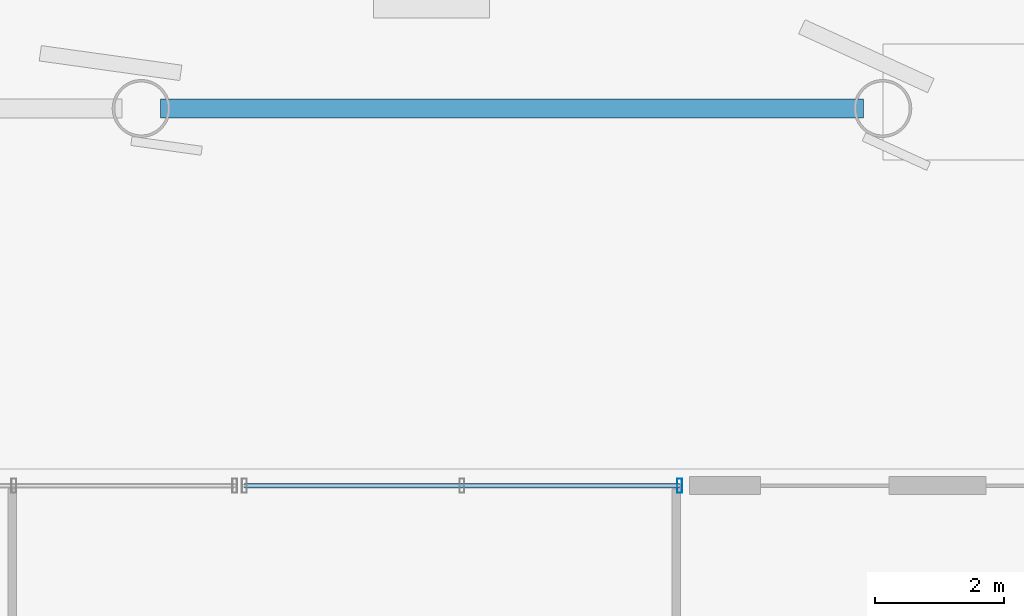
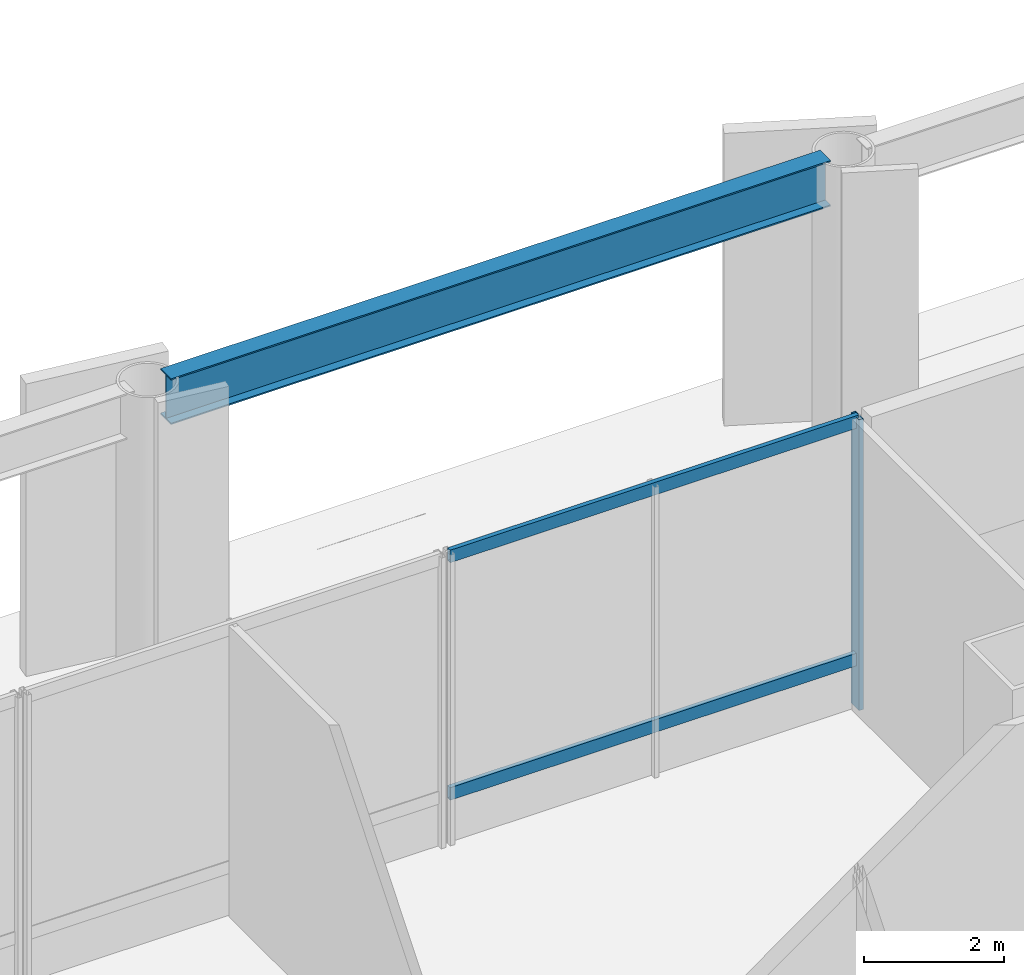
# One storey, part 5 of 19: 3 members, 1 beam, 1 element without a shape of its own.
"""IFC4 building model written with IfcOpenShell, lengths in metres."""

import ifcopenshell
import ifcopenshell.guid

model = None  # the IFC model being written
_history = None  # IfcOwnerHistory: only IFC2X3 demands one
_inside = {}  # id of a spatial element -> (the spatial element, [elements in it])
_under = {}  # id of a project, library or spatial element -> (it, [spatial elements below it])
_declared = {}  # id of a project -> (the project, [libraries it declares])
_typed = {}  # id of a type object -> (the type object, [elements of that type])
_made_of = {}  # id of a material, layer set ... -> (it, [elements and type objects made of it])


def new_model(schema):
    """Start an empty IFC model of exactly this schema.

    Asked for "IFC4X3", IfcOpenShell would pick the latest addendum, in which some entities
    have other attributes; the version numbers below select the first issue.
    IFC2X3 requires an IfcOwnerHistory on every rooted entity: one is made here for all.
    """
    global model, _history
    if schema == "IFC4X3":
        model = ifcopenshell.file(schema_version=(4, 3, 0, 0))
    else:
        model = ifcopenshell.file(schema=schema)
    _inside.clear()
    _under.clear()
    _declared.clear()
    _typed.clear()
    _made_of.clear()
    _history = None
    if model.schema == "IFC2X3":
        org = make("IfcOrganization", Name="unknown")
        user = make(
            "IfcPersonAndOrganization",
            ThePerson=make("IfcPerson", FamilyName="unknown"),
            TheOrganization=org,
        )
        app = make(
            "IfcApplication",
            ApplicationDeveloper=org,
            Version="unknown",
            ApplicationFullName="unknown",
            ApplicationIdentifier="unknown",
        )
        _history = make(
            "IfcOwnerHistory",
            OwningUser=user,
            OwningApplication=app,
            ChangeAction="ADDED",
            CreationDate=0,
        )
    return model


def make(cls, **values):
    """One entity of the class cls with the attributes given. An attribute that is None is left unset."""
    return model.create_entity(
        cls, **{name: value for name, value in values.items() if value is not None}
    )


def rooted(cls, **values):
    """An entity with a GlobalId (a new one), such as an element, a storey or a relation."""
    return make(cls, GlobalId=ifcopenshell.guid.new(), OwnerHistory=_history, **values)


def si_unit(unit_type, name, prefix=None):
    """IfcSIUnit, for example si_unit("LENGTHUNIT", "METRE", prefix="MILLI")."""
    return make("IfcSIUnit", UnitType=unit_type, Prefix=prefix, Name=name)


def assignment(units):
    """IfcUnitAssignment: the units of a project."""
    return None if units is None else make("IfcUnitAssignment", Units=units)


def point(xyz):
    """IfcCartesianPoint."""
    return None if xyz is None else make("IfcCartesianPoint", Coordinates=xyz)


def direction(xyz):
    """IfcDirection."""
    return None if xyz is None else make("IfcDirection", DirectionRatios=xyz)


def frame(location, z_axis=None, x_axis=None):
    """IfcAxis2Placement3D, a coordinate frame: its origin and axes. An axis left out is left unset."""
    return make(
        "IfcAxis2Placement3D",
        Location=point(location),
        Axis=direction(z_axis),
        RefDirection=direction(x_axis),
    )


def frame_2d(location, x_axis=None):
    """IfcAxis2Placement2D, a coordinate frame in the plane: its origin and x axis."""
    return make(
        "IfcAxis2Placement2D", Location=point(location), RefDirection=direction(x_axis)
    )


def origin():
    """The frame at (0, 0, 0) with its axes left unset."""
    return frame((0.0, 0.0, 0.0))


def origin_2d():
    """The frame at (0, 0) in the plane with its x axis left unset."""
    return frame_2d((0.0, 0.0))


def place(relative_to, where):
    """IfcLocalPlacement: puts the frame where relative to a parent placement (None: the world)."""
    return make(
        "IfcLocalPlacement", PlacementRelTo=relative_to, RelativePlacement=where
    )


def context(
    kind, dimensions, precision=None, world=None, true_north=None, identifier=None
):
    """IfcGeometricRepresentationContext, for example the 3D "Model" context."""
    return make(
        "IfcGeometricRepresentationContext",
        ContextIdentifier=identifier,
        ContextType=kind,
        CoordinateSpaceDimension=dimensions,
        Precision=precision,
        WorldCoordinateSystem=world,
        TrueNorth=true_north,
    )


def subcontext(parent, identifier, kind, view, scale=None):
    """IfcGeometricRepresentationSubContext, for example "Body" below "Model"."""
    return make(
        "IfcGeometricRepresentationSubContext",
        ContextIdentifier=identifier,
        ContextType=kind,
        ParentContext=parent,
        TargetScale=scale,
        TargetView=view,
    )


def project(units=None, contexts=None):
    """IfcProject with its units and contexts."""
    return rooted(
        "IfcProject",
        Name="project",
        RepresentationContexts=contexts,
        UnitsInContext=assignment(units),
    )


def spatial(cls, under=None, at=None, **own):
    """A site, building, storey or space (cls), placed at a placement, below another one or the project."""
    s = rooted(cls, ObjectPlacement=at, **own)
    if under is not None:
        _under.setdefault(under.id(), (under, []))[1].append(s)
    return s


def profile(cls, at=None, kind="AREA", **sizes):
    """A parametric profile (cls). Its sizes go by their IFC names, for example OverallWidth=200.0."""
    return make(cls, ProfileType=kind, Position=at, **sizes)


def hollow_rectangle(**sizes):
    """IfcRectangleHollowProfileDef."""
    return profile("IfcRectangleHollowProfileDef", **sizes)


def i_section(**sizes):
    """IfcIShapeProfileDef."""
    return profile("IfcIShapeProfileDef", **sizes)


def extrude(swept, where, along, depth):
    """IfcExtrudedAreaSolid: the profile swept, set in the frame where, extruded along a direction by depth."""
    return make(
        "IfcExtrudedAreaSolid",
        SweptArea=swept,
        Position=where,
        ExtrudedDirection=direction(along),
        Depth=depth,
    )


def shape(context_of_items, identifier, shape_type, items):
    """IfcShapeRepresentation: the items that make up one representation, for example the "Body"."""
    return make(
        "IfcShapeRepresentation",
        ContextOfItems=context_of_items,
        RepresentationIdentifier=identifier,
        RepresentationType=shape_type,
        Items=items,
    )


def source(mapping_origin, context_of_items, identifier, shape_type, items):
    """IfcRepresentationMap: a shape defined once, which mapped items show again and again."""
    return make(
        "IfcRepresentationMap",
        MappingOrigin=mapping_origin,
        MappedRepresentation=shape(context_of_items, identifier, shape_type, items),
    )


def transform(
    local_origin,
    x_axis=None,
    y_axis=None,
    z_axis=None,
    scale=None,
    scale2=None,
    scale3=None,
    uniform=True,
):
    """IfcCartesianTransformationOperator3D, or its non-uniform kind. x_axis, y_axis, z_axis: its Axis1, 2, 3."""
    if uniform:
        return make(
            "IfcCartesianTransformationOperator3D",
            Axis1=direction(x_axis),
            Axis2=direction(y_axis),
            LocalOrigin=point(local_origin),
            Scale=scale,
            Axis3=direction(z_axis),
        )
    return make(
        "IfcCartesianTransformationOperator3DnonUniform",
        Axis1=direction(x_axis),
        Axis2=direction(y_axis),
        LocalOrigin=point(local_origin),
        Scale=scale,
        Axis3=direction(z_axis),
        Scale2=scale2,
        Scale3=scale3,
    )


def mapped(mapping_source, mapping_target):
    """IfcMappedItem: shows the shape of a source again, moved by a transform."""
    return make(
        "IfcMappedItem", MappingSource=mapping_source, MappingTarget=mapping_target
    )


def material(Name=None, Category=None):
    """IfcMaterial."""
    return make("IfcMaterial", Name=Name, Category=Category)


def material_profile(
    of_material, cross_section, Name=None, Category=None, Priority=None
):
    """IfcMaterialProfile: a cross section and its material."""
    return make(
        "IfcMaterialProfile",
        Name=Name,
        Material=of_material,
        Profile=cross_section,
        Priority=Priority,
        Category=Category,
    )


def profile_set(profiles, Name=None, composite=None):
    """IfcMaterialProfileSet."""
    return make(
        "IfcMaterialProfileSet",
        Name=Name,
        MaterialProfiles=profiles,
        CompositeProfile=composite,
    )


def made_of(thing, what):
    """Note that an element or type object is made of a material, layer set ...; save() writes the relation."""
    if what is not None:
        _made_of.setdefault(what.id(), (what, []))[1].append(thing)
    return thing


def type_object(cls, material=None, **own):
    """A type object (cls), such as IfcWallType, which elements share."""
    return made_of(rooted(cls, **own), material)


def type_shapes(of_type, sources):
    """Give a type object the sources (RepresentationMaps) that its elements show as mapped items."""
    of_type.RepresentationMaps = sources


def element(
    cls,
    number,
    at=None,
    inside=None,
    cuts=None,
    type_object=None,
    material=None,
    context=None,
    identifier="Body",
    shape_type=None,
    held_by="IfcProductDefinitionShape",
    body=None,
    shapes=None,
    **own,
):
    """One element of the class cls, such as IfcWall. Its Tag is "e" and its number.

    at: its placement. inside: the storey or other place that contains it. cuts: it is an
    opening in that element (IfcRelVoidsElement). A single representation is given by context,
    identifier, shape_type and body (its items); several are given by shapes. held_by: the class
    of the entity that holds the representations. save() writes the other relations.
    """
    e = rooted(cls, Tag="e%d" % number, ObjectPlacement=at, **own)
    if body is not None:
        shapes = [shape(context, identifier, shape_type, body)]
    if shapes is not None:
        e.Representation = make(held_by, Representations=shapes)
    if inside is not None:
        _inside.setdefault(inside.id(), (inside, []))[1].append(e)
    if cuts is not None:
        rooted(
            "IfcRelVoidsElement", RelatingBuildingElement=cuts, RelatedOpeningElement=e
        )
    if type_object is not None:
        _typed.setdefault(type_object.id(), (type_object, []))[1].append(e)
    return made_of(e, material)


def aggregate(whole, parts):
    """IfcRelAggregates: a whole, such as a stair, and the parts it consists of."""
    return rooted("IfcRelAggregates", RelatingObject=whole, RelatedObjects=parts)


def save(model, path):
    """Write the relations noted so far, then the file.

    IfcRelAggregates (storeys below a building ...), IfcRelContainedInSpatialStructure (elements
    in a storey), IfcRelDefinesByType, IfcRelAssociatesMaterial and IfcRelDeclares: one each for
    every whole, place, type object, material and project.
    """
    for whole, parts in _under.values():
        aggregate(whole, parts)
    for where, things in _inside.values():
        rooted(
            "IfcRelContainedInSpatialStructure",
            RelatedElements=things,
            RelatingStructure=where,
        )
    for kind, things in _typed.values():
        rooted("IfcRelDefinesByType", RelatedObjects=things, RelatingType=kind)
    for what, things in _made_of.values():
        rooted("IfcRelAssociatesMaterial", RelatedObjects=things, RelatingMaterial=what)
    for by, libraries in _declared.values():
        rooted("IfcRelDeclares", RelatingContext=by, RelatedDefinitions=libraries)
    model.write(path)


model = new_model("IFC4")

# Units and contexts
model_context = context("Model", 3, precision=1e-05, world=origin(), true_north=direction((0.0, 1.0)))
body_context = subcontext(model_context, "Body", "Model", "MODEL_VIEW")
ifc_project = project(units=[si_unit("LENGTHUNIT", "METRE"), si_unit("AREAUNIT", "SQUARE_METRE"), si_unit("VOLUMEUNIT", "CUBIC_METRE"), si_unit("PLANEANGLEUNIT", "RADIAN"), si_unit("MASSUNIT", "GRAM", prefix="KILO")], contexts=[model_context])

# Site, building, storey
site_placement = place(None, origin())
site = spatial("IfcSite", under=ifc_project, at=site_placement, CompositionType="ELEMENT")
building_placement = place(site_placement, origin())
building = spatial("IfcBuilding", under=site, at=building_placement, Name="Caelisora Broadcast Tower", CompositionType="ELEMENT")
storey_placement = place(building_placement, origin())
storey = spatial("IfcBuildingStorey", under=building, at=storey_placement, Name="L00", CompositionType="ELEMENT", Elevation=0.0)

# Beam
ifc_material_1 = material(Name="Steel Grade 350 (AS/NZS 3679.2)", Category="steel")
ifc_material_profile_1 = material_profile(ifc_material_1, i_section(OverallWidth=0.300048828125, OverallDepth=0.800048828125, WebThickness=0.013916015625, FlangeThickness=0.02392578125, at=origin_2d()), Name="Steel Grade 350 (AS/NZS 3679.2)")
ifc_profile_set_1 = profile_set([ifc_material_profile_1], Name="Steel Grade 350 (AS/NZS 3679.2)")
beam_type = type_object("IfcBeamType", Name="PG02", PredefinedType="BEAM", material=ifc_profile_set_1)
shared_shape_1 = source(origin(), body_context, "Body", "SweptSolid", [
    extrude(i_section(OverallWidth=0.300048828125, OverallDepth=0.800048828125, WebThickness=0.013916015625, FlangeThickness=0.02392578125, at=origin_2d()), origin(), (0.0, 0.0, 1.0), 10.89990234375),
])
type_shapes(beam_type, [shared_shape_1])
beam_placement = place(storey_placement, frame((16.800048828125, 55.800048828125, 4.679931640625), z_axis=(1.0, 0.0, 0.0), x_axis=(0.0, 1.0, 0.0)))
element("IfcBeam", 1, at=beam_placement, inside=storey, type_object=beam_type, Name="L00 beam PG02", PredefinedType="BEAM", context=body_context, shape_type="MappedRepresentation", body=[
    mapped(shared_shape_1, transform((0.0, 0.0, 0.0), scale=1.0)),
])

# Curtain wall, members
ifc_material_2 = material(Name="Unitised Aluminium and Low-E Glass Curtain Wall", Category="glass")
curtain_wall_type = type_object("IfcCurtainWallType", Name="CW-COL", PredefinedType="NOTDEFINED", material=ifc_material_2)
curtain_wall_placement = place(storey_placement, origin())
curtain_wall = element("IfcCurtainWall", 2, at=curtain_wall_placement, inside=storey, type_object=curtain_wall_type, Name="L00 curtain wall CW-COL", PredefinedType="NOTDEFINED")
ifc_material_3 = material(Name="Aluminium 6063-T6 Anodised Terracotta Bronze", Category="aluminium")
ifc_material_profile_2 = material_profile(ifc_material_3, hollow_rectangle(XDim=0.074951171875, YDim=0.219970703125, WallThickness=0.00390625, at=origin_2d()), Name="Aluminium 6063-T6 Anodised Terracotta Bronze")
ifc_profile_set_2 = profile_set([ifc_material_profile_2], Name="Aluminium 6063-T6 Anodised Terracotta Bronze")
member_type_1 = type_object("IfcMemberType", Name="CWM-01", PredefinedType="MULLION", material=ifc_profile_set_2)
shared_shape_2 = source(origin(), body_context, "Body", "SweptSolid", [
    extrude(hollow_rectangle(XDim=0.074951171875, YDim=0.219970703125, WallThickness=0.00390625, at=origin_2d()), origin(), (0.0, 0.0, 1.0), 5.080078125),
])
type_shapes(member_type_1, [shared_shape_2])
member_1_placement = place(storey_placement, frame((24.85009765625, 49.949951171875, 0.0), z_axis=(0.0, 0.0, 1.0), x_axis=(1.0, 0.0, 0.0)))
member_1 = element("IfcMember", 3, at=member_1_placement, type_object=member_type_1, Name="L00-CW-COL-3 mullion #2", PredefinedType="MULLION", context=body_context, shape_type="MappedRepresentation", body=[
    mapped(shared_shape_2, transform((0.0, 0.0, 0.0), scale=1.0)),
])
ifc_material_profile_3 = material_profile(ifc_material_3, hollow_rectangle(XDim=0.074951171875, YDim=0.219970703125, WallThickness=0.00390625, at=origin_2d()), Name="Aluminium 6063-T6 Anodised Terracotta Bronze")
ifc_profile_set_3 = profile_set([ifc_material_profile_3], Name="Aluminium 6063-T6 Anodised Terracotta Bronze")
member_type_2 = type_object("IfcMemberType", Name="CWT-04", PredefinedType="USERDEFINED", material=ifc_profile_set_3)
shared_shape_3 = source(origin(), body_context, "Body", "SweptSolid", [
    extrude(hollow_rectangle(XDim=0.074951171875, YDim=0.219970703125, WallThickness=0.00390625, at=origin_2d()), origin(), (0.0, 0.0, 1.0), 6.75),
])
type_shapes(member_type_2, [shared_shape_3])
member_2_placement = place(storey_placement, frame((18.10009765625, 49.949951171875, 0.85009765625), z_axis=(1.0, 0.0, 0.0), x_axis=(0.0, 1.0, 0.0)))
member_2 = element("IfcMember", 4, at=member_2_placement, type_object=member_type_2, Name="L00-CW-COL-3 transom #1", ObjectType="TRANSOM", PredefinedType="USERDEFINED", context=body_context, shape_type="MappedRepresentation", body=[
    mapped(shared_shape_3, transform((0.0, 0.0, 0.0), scale=1.0)),
])
member_3_placement = place(storey_placement, frame((18.10009765625, 49.949951171875, 5.0), z_axis=(1.0, 0.0, 0.0), x_axis=(0.0, 1.0, 0.0)))
member_3 = element("IfcMember", 5, at=member_3_placement, type_object=member_type_2, Name="L00-CW-COL-3 transom #2", ObjectType="TRANSOM", PredefinedType="USERDEFINED", context=body_context, shape_type="MappedRepresentation", body=[
    mapped(shared_shape_3, transform((0.0, 0.0, 0.0), scale=1.0)),
])
aggregate(curtain_wall, [member_1, member_2, member_3])

save(model, "model.ifc")
